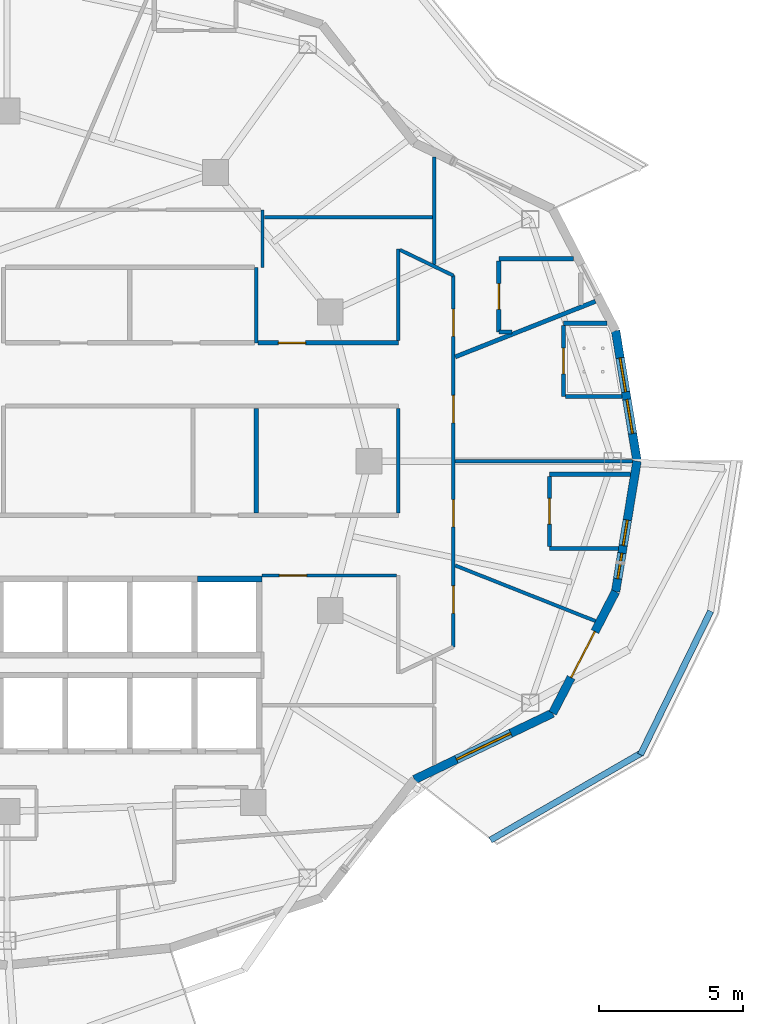
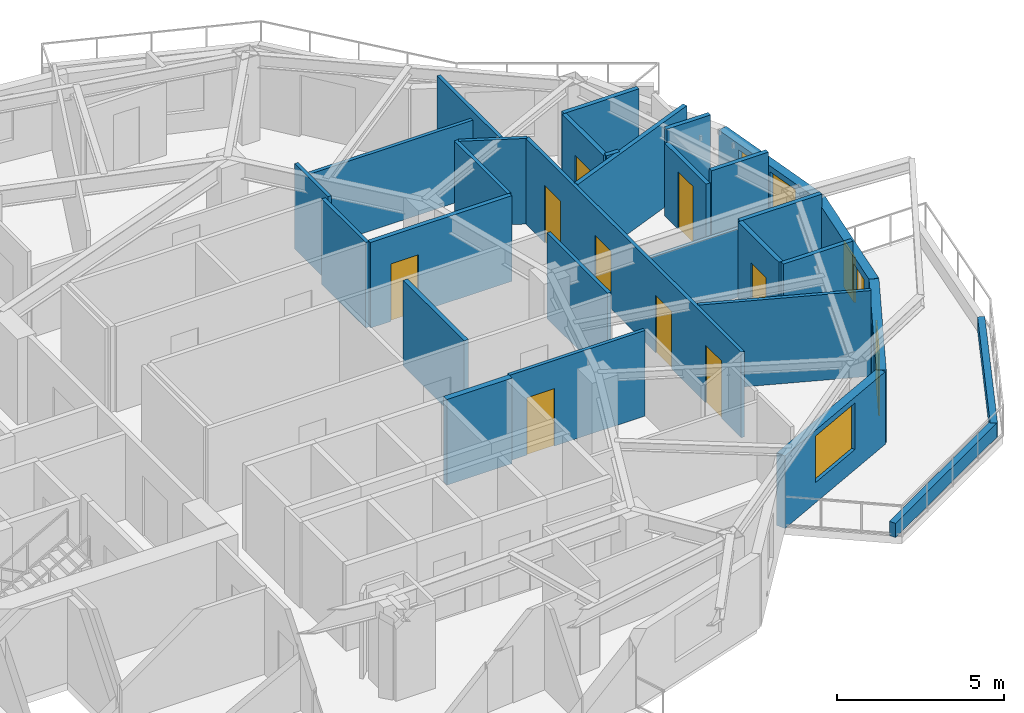
# One storey, part 6 of 13: 30 walls, 10 doors, 5 windows, 15 openings.
"""IFC4 building model written with IfcOpenShell, lengths in metres."""

from ifc_helpers import new_model, si_unit, direction, frame, frame_2d, origin, place, context, subcontext, project, spatial, rectangle, extrude, material, layer, layer_set, type_object, element, fill, save


model = new_model("IFC4")

# Units and contexts
model_context = context("Model", 3, precision=1e-05, world=origin(), true_north=direction((0.0, 1.0)))
body_context = subcontext(model_context, "Body", "Model", "MODEL_VIEW")
ifc_project = project(units=[si_unit("LENGTHUNIT", "METRE"), si_unit("AREAUNIT", "SQUARE_METRE"), si_unit("VOLUMEUNIT", "CUBIC_METRE"), si_unit("PLANEANGLEUNIT", "RADIAN"), si_unit("MASSUNIT", "GRAM", prefix="KILO")], contexts=[model_context])

# Site, building, storey
site_placement = place(None, origin())
site = spatial("IfcSite", under=ifc_project, at=site_placement, CompositionType="ELEMENT")
building_placement = place(site_placement, origin())
building = spatial("IfcBuilding", under=site, at=building_placement, Name="Kolvaren Gate Tower and Convention Centre", CompositionType="ELEMENT")
storey_placement = place(building_placement, frame((0.0, 0.0, 166.5)))
storey = spatial("IfcBuildingStorey", under=building, at=storey_placement, Name="L43", CompositionType="ELEMENT", Elevation=166.5)

# Walls
ifc_material_1 = material(Name="Fire-Rated Acoustic Gypsum Stud Partition", Category="gypsum")
ifc_layer_1 = layer(ifc_material_1, 0.1201171875)
ifc_layer_set_1 = layer_set([ifc_layer_1], Name="Fire-Rated Acoustic Gypsum Stud Partition")
wall_type_1 = type_object("IfcWallType", Name="ARCH-WL-PART-120", PredefinedType="PARTITIONING", material=ifc_layer_set_1)
wall_1_placement = place(storey_placement, frame((38.800048828125, 31.1201171875, 0.0), z_axis=(0.0, 0.0, 1.0), x_axis=(0.0, 1.0, 0.0)))
element("IfcWall", 1, at=wall_1_placement, inside=storey, type_object=wall_type_1, Name="Interior Partition WL-L43-INT-019", PredefinedType="PARTITIONING", context=body_context, shape_type="SweptSolid", body=[
    extrude(rectangle(XDim=2.6298828125, YDim=0.1201171875, at=frame_2d((1.31494140625, 0.0))), origin(), (0.0, 0.0, 1.0), 3.1298828125),
])
wall_2_placement = place(storey_placement, frame((39.02001953125, 33.75, 0.0), z_axis=(0.0, 0.0, 1.0), x_axis=(0.0, 1.0, 0.0)))
element("IfcWall", 2, at=wall_2_placement, inside=storey, type_object=wall_type_1, Name="Interior Partition WL-L43-INT-024", PredefinedType="PARTITIONING", context=body_context, shape_type="SweptSolid", body=[
    extrude(rectangle(XDim=2.0, YDim=0.1201171875, at=frame_2d((1.0, 0.0))), origin(), (0.0, 0.0, 1.0), 3.1298828125),
])
wall_3_placement = place(storey_placement, frame((43.75, 25.197021484375, 0.0), z_axis=(0.0, 0.0, 1.0), x_axis=(0.0, 1.0, 0.0)))
element("IfcWall", 3, at=wall_3_placement, inside=storey, type_object=wall_type_1, Name="Interior Partition WL-L43-INT-038", PredefinedType="PARTITIONING", context=body_context, shape_type="SweptSolid", body=[
    extrude(rectangle(XDim=3.64599609375, YDim=0.1201171875, at=frame_2d((1.822998046875, 0.0))), origin(), (0.0, 0.0, 1.0), 3.1298828125),
])
wall_4_placement = place(storey_placement, frame((43.75, 31.197021484375, 0.0), z_axis=(0.0, 0.0, 1.0), x_axis=(0.0, 1.0, 0.0)))
element("IfcWall", 4, at=wall_4_placement, inside=storey, type_object=wall_type_1, Name="Interior Partition WL-L43-INT-039", PredefinedType="PARTITIONING", context=body_context, shape_type="SweptSolid", body=[
    extrude(rectangle(XDim=3.18798828125, YDim=0.1201171875, at=frame_2d((1.593994140625, 0.0))), origin(), (0.0, 0.0, 1.0), 3.1298828125),
])
wall_5_placement = place(storey_placement, frame((43.81201171875, 34.355224609375, 0.0), z_axis=(0.0, 0.0, 1.0), x_axis=(0.901236415331, -0.433327732417, 0.0)))
element("IfcWall", 5, at=wall_5_placement, inside=storey, type_object=wall_type_1, Name="Interior Partition WL-L43-INT-040", PredefinedType="PARTITIONING", context=body_context, shape_type="SweptSolid", body=[
    extrude(rectangle(XDim=2.0615234375, YDim=0.1201171875, at=frame_2d((1.03076171875, 0.0))), origin(), (0.0, 0.0, 1.0), 3.1298828125),
])

# Wall, openings, doors
wall_6_placement = place(storey_placement, frame((45.669921875, 20.5380859375, 0.0), z_axis=(0.0, 0.0, 1.0), x_axis=(0.0, 1.0, 0.0)))
wall_6 = element("IfcWall", 6, at=wall_6_placement, inside=storey, type_object=wall_type_1, Name="Interior Partition WL-L43-INT-041", PredefinedType="PARTITIONING", context=body_context, shape_type="SweptSolid", body=[
    extrude(rectangle(XDim=12.923828125, YDim=0.1201171875, at=frame_2d((6.4619140625, 0.0))), origin(), (0.0, 0.0, 1.0), 3.1298828125),
])
opening_1_placement = place(wall_6_placement, frame((1.166015625, 0.0, 0.0)))
opening_1 = element("IfcOpeningElement", 7, at=opening_1_placement, cuts=wall_6, Name="Opening DR-01", PredefinedType="OPENING", context=body_context, shape_type="SweptSolid", body=[
    extrude(rectangle(XDim=0.949951171875, YDim=2.10009765625, at=frame_2d((0.47509765625, 1.050048828125))), frame((0.0, 0.070068359375, 0.0), z_axis=(0.0, -1.0, 0.0), x_axis=(1.0, 0.0, 0.0)), (0.0, 0.0, 1.0), 0.14013671875),
])
opening_2_placement = place(wall_6_placement, frame((4.173828125, 0.0, 0.0)))
opening_2 = element("IfcOpeningElement", 8, at=opening_2_placement, cuts=wall_6, Name="Opening DR-01", PredefinedType="OPENING", context=body_context, shape_type="SweptSolid", body=[
    extrude(rectangle(XDim=0.949951171875, YDim=2.10009765625, at=frame_2d((0.47509765625, 1.050048828125))), frame((0.0, 0.070068359375, 0.0), z_axis=(0.0, -1.0, 0.0), x_axis=(1.0, 0.0, 0.0)), (0.0, 0.0, 1.0), 0.14013671875),
])
opening_3_placement = place(wall_6_placement, frame((7.800048828125, 0.0, 0.0)))
opening_3 = element("IfcOpeningElement", 9, at=opening_3_placement, cuts=wall_6, Name="Opening DR-01", PredefinedType="OPENING", context=body_context, shape_type="SweptSolid", body=[
    extrude(rectangle(XDim=0.949951171875, YDim=2.10009765625, at=frame_2d((0.47509765625, 1.050048828125))), frame((0.0, 0.070068359375, 0.0), z_axis=(0.0, -1.0, 0.0), x_axis=(1.0, 0.0, 0.0)), (0.0, 0.0, 1.0), 0.14013671875),
])
opening_4_placement = place(wall_6_placement, frame((10.807861328125, 0.0, 0.0)))
opening_4 = element("IfcOpeningElement", 10, at=opening_4_placement, cuts=wall_6, Name="Opening DR-01", PredefinedType="OPENING", context=body_context, shape_type="SweptSolid", body=[
    extrude(rectangle(XDim=0.949951171875, YDim=2.10009765625, at=frame_2d((0.47509765625, 1.050048828125))), frame((0.0, 0.070068359375, 0.0), z_axis=(0.0, -1.0, 0.0), x_axis=(1.0, 0.0, 0.0)), (0.0, 0.0, 1.0), 0.14013671875),
])
ifc_material_2 = material(Name="Painted Architectural Steelwork ASTM A500 Grade C 345 MPa", Category="steel")
door_type_1 = type_object("IfcDoorType", Name="ARCH-DR-RISER-950", OperationType="SINGLE_SWING_RIGHT", PredefinedType="DOOR", material=ifc_material_2)
door_1_placement = place(opening_1_placement, origin())
door_1 = element("IfcDoor", 11, at=door_1_placement, inside=storey, type_object=door_type_1, Name="Hotel Botanical Clubroom Door", OperationType="SINGLE_SWING_RIGHT", OverallHeight=2.10009765625, OverallWidth=0.949951171875, PredefinedType="DOOR", context=body_context, shape_type="SweptSolid", body=[
    extrude(rectangle(XDim=0.949951171875, YDim=2.10009765625, at=frame_2d((0.47509765625, 1.050048828125))), frame((0.0, 0.02490234375, 0.0), z_axis=(0.0, -1.0, 0.0), x_axis=(1.0, 0.0, 0.0)), (0.0, 0.0, 1.0), 0.050048828125),
])
fill(opening_1, door_1)
door_2_placement = place(opening_2_placement, origin())
door_2 = element("IfcDoor", 12, at=door_2_placement, inside=storey, type_object=door_type_1, Name="Deluxe Hotel Suite (HTL-L43-08) Door", OperationType="SINGLE_SWING_LEFT", OverallHeight=2.10009765625, OverallWidth=0.949951171875, PredefinedType="DOOR", context=body_context, shape_type="SweptSolid", body=[
    extrude(rectangle(XDim=0.949951171875, YDim=2.10009765625, at=frame_2d((0.47509765625, 1.050048828125))), frame((0.0, 0.02490234375, 0.0), z_axis=(0.0, -1.0, 0.0), x_axis=(1.0, 0.0, 0.0)), (0.0, 0.0, 1.0), 0.050048828125),
])
fill(opening_2, door_2)
door_3_placement = place(opening_3_placement, origin())
door_3 = element("IfcDoor", 13, at=door_3_placement, inside=storey, type_object=door_type_1, Name="Deluxe Hotel Suite (HTL-L43-10) Door", OperationType="SINGLE_SWING_LEFT", OverallHeight=2.10009765625, OverallWidth=0.949951171875, PredefinedType="DOOR", context=body_context, shape_type="SweptSolid", body=[
    extrude(rectangle(XDim=0.949951171875, YDim=2.10009765625, at=frame_2d((0.47509765625, 1.050048828125))), frame((0.0, 0.02490234375, 0.0), z_axis=(0.0, -1.0, 0.0), x_axis=(1.0, 0.0, 0.0)), (0.0, 0.0, 1.0), 0.050048828125),
])
fill(opening_3, door_3)
door_4_placement = place(opening_4_placement, origin())
door_4 = element("IfcDoor", 14, at=door_4_placement, inside=storey, type_object=door_type_1, Name="Deluxe Hotel Suite (HTL-L43-11) Door", OperationType="SINGLE_SWING_RIGHT", OverallHeight=2.10009765625, OverallWidth=0.949951171875, PredefinedType="DOOR", context=body_context, shape_type="SweptSolid", body=[
    extrude(rectangle(XDim=0.949951171875, YDim=2.10009765625, at=frame_2d((0.47509765625, 1.050048828125))), frame((0.0, 0.02490234375, 0.0), z_axis=(0.0, -1.0, 0.0), x_axis=(1.0, 0.0, 0.0)), (0.0, 0.0, 1.0), 0.050048828125),
])
fill(opening_4, door_4)

# Wall, opening, door
wall_7_placement = place(storey_placement, frame((39.0, 23.02001953125, 0.0), z_axis=(0.0, 0.0, 1.0), x_axis=(1.0, 0.0, 0.0)))
wall_7 = element("IfcWall", 15, at=wall_7_placement, inside=storey, type_object=wall_type_1, Name="Interior Partition WL-L43-INT-043", PredefinedType="PARTITIONING", context=body_context, shape_type="SweptSolid", body=[
    extrude(rectangle(XDim=4.68798828125, YDim=0.1201171875, at=frame_2d((2.343994140625, 0.0))), origin(), (0.0, 0.0, 1.0), 3.1298828125),
])
opening_5_placement = place(wall_7_placement, frame((0.60888671875, 0.0, 0.0)))
opening_5 = element("IfcOpeningElement", 16, at=opening_5_placement, cuts=wall_7, Name="Opening DR-01", PredefinedType="OPENING", context=body_context, shape_type="SweptSolid", body=[
    extrude(rectangle(XDim=0.949951171875, YDim=2.10009765625, at=frame_2d((0.47509765625, 1.050048828125))), frame((0.0, 0.070068359375, 0.0), z_axis=(0.0, -1.0, 0.0), x_axis=(1.0, 0.0, 0.0)), (0.0, 0.0, 1.0), 0.14013671875),
])
door_5_placement = place(opening_5_placement, origin())
door_5 = element("IfcDoor", 17, at=door_5_placement, inside=storey, type_object=door_type_1, Name="Luxury Retail Boutique Door", OperationType="SINGLE_SWING_LEFT", OverallHeight=2.10009765625, OverallWidth=0.949951171875, PredefinedType="DOOR", context=body_context, shape_type="SweptSolid", body=[
    extrude(rectangle(XDim=0.949951171875, YDim=2.10009765625, at=frame_2d((0.47509765625, 1.050048828125))), frame((0.0, 0.02490234375, 0.0), z_axis=(0.0, -1.0, 0.0), x_axis=(1.0, 0.0, 0.0)), (0.0, 0.0, 1.0), 0.050048828125),
])
fill(opening_5, door_5)

# Walls
wall_8_placement = place(storey_placement, frame((45.73193359375, 27.0, 0.0), z_axis=(0.0, 0.0, 1.0), x_axis=(1.0, 0.0, 0.0)))
element("IfcWall", 18, at=wall_8_placement, inside=storey, type_object=wall_type_1, Name="Interior Partition WL-L43-INT-049", PredefinedType="PARTITIONING", context=body_context, shape_type="SweptSolid", body=[
    extrude(rectangle(XDim=6.176513671875, YDim=0.1201171875, at=frame_2d((3.08837890625, 0.0))), origin(), (0.0, 0.0, 1.0), 2.5048828125),
])
wall_9_placement = place(storey_placement, frame((45.0, 33.852783203125, 0.0), z_axis=(0.0, 0.0, 1.0), x_axis=(0.0, 1.0, 0.0)))
element("IfcWall", 19, at=wall_9_placement, inside=storey, type_object=wall_type_1, Name="Interior Partition WL-L43-INT-057", PredefinedType="PARTITIONING", context=body_context, shape_type="SweptSolid", body=[
    extrude(rectangle(XDim=3.734619140625, YDim=0.1201171875, at=frame_2d((1.8671875, 0.0))), origin(), (0.0, 0.0, 1.0), 3.1298828125),
])
wall_10_placement = place(storey_placement, frame((45.73193359375, 23.367431640625, 0.0), z_axis=(0.0, 0.0, 1.0), x_axis=(0.929706134606, -0.368302190158, 0.0)))
element("IfcWall", 20, at=wall_10_placement, inside=storey, type_object=wall_type_1, Name="Interior Partition WL-L43-INT-058", PredefinedType="PARTITIONING", context=body_context, shape_type="SweptSolid", body=[
    extrude(rectangle(XDim=5.250732421875, YDim=0.1201171875, at=frame_2d((2.62548828125, 0.0))), origin(), (0.0, 0.0, 1.0), 3.1298828125),
])
wall_11_placement = place(storey_placement, frame((39.08203125, 35.5, 0.0), z_axis=(0.0, 0.0, 1.0), x_axis=(1.0, 0.0, 0.0)))
element("IfcWall", 21, at=wall_11_placement, inside=storey, type_object=wall_type_1, Name="Interior Partition WL-L43-INT-069", PredefinedType="PARTITIONING", context=body_context, shape_type="SweptSolid", body=[
    extrude(rectangle(XDim=5.85595703125, YDim=0.1201171875, at=frame_2d((2.927978515625, 0.0))), origin(), (0.0, 0.0, 1.0), 2.81201171875),
])
ifc_material_3 = material(Name="Piedmont Cream Honed Limestone Cladding", Category="masonry")
ifc_layer_2 = layer(ifc_material_3, 0.219970703125)
ifc_layer_set_2 = layer_set([ifc_layer_2], Name="Piedmont Cream Honed Limestone Cladding")
wall_type_2 = type_object("IfcWallType", Name="ARCH-WL-PLANTER-220", PredefinedType="PARAPET", material=ifc_layer_set_2)
wall_12_placement = place(storey_placement, frame((46.95751953125, 13.8046875, 0.0), z_axis=(0.0, 0.0, 1.0), x_axis=(0.866058128659, 0.499943314571, 0.0)))
element("IfcWall", 22, at=wall_12_placement, inside=storey, type_object=wall_type_2, Name="Vertical-Forest Balcony Stone Planter Kerb PK-L43-4.1", PredefinedType="PARAPET", context=body_context, shape_type="SweptSolid", body=[
    extrude(rectangle(XDim=6.060302734375, YDim=0.219970703125, at=frame_2d((3.0302734375, 0.0))), origin(), (0.0, 0.0, 1.0), 0.52001953125),
])
wall_13_placement = place(storey_placement, frame((52.180419921875, 16.778564453125, 0.0), z_axis=(0.0, 0.0, 1.0), x_axis=(0.439637174641, 0.898175458735, 0.0)))
element("IfcWall", 23, at=wall_13_placement, inside=storey, type_object=wall_type_2, Name="Vertical-Forest Balcony Stone Planter Kerb PK-L43-4.2", PredefinedType="PARAPET", context=body_context, shape_type="SweptSolid", body=[
    extrude(rectangle(XDim=5.567138671875, YDim=0.219970703125, at=frame_2d((2.78369140625, 0.0))), origin(), (0.0, 0.0, 1.0), 0.52001953125),
])
ifc_material_4 = material(Name="Autoclaved Aerated Masonry Blockwork Class 4 (4.0 MPa)", Category="masonry")
ifc_layer_3 = layer(ifc_material_4, 0.199951171875)
ifc_layer_set_3 = layer_set([ifc_layer_3], Name="Autoclaved Aerated Masonry Blockwork Class 4 (4.0 MPa)")
wall_type_3 = type_object("IfcWallType", Name="ARCH-WL-SHAFT-200", PredefinedType="SOLIDWALL", material=ifc_layer_set_3)
wall_14_placement = place(storey_placement, frame((36.75, 22.89990234375, 0.0), z_axis=(0.0, 0.0, 1.0), x_axis=(1.0, 0.0, 0.0)))
element("IfcWall", 24, at=wall_14_placement, inside=storey, type_object=wall_type_3, Name="Elevator PL-12 L43 Fire Shaft Wall N", PredefinedType="SOLIDWALL", context=body_context, shape_type="SweptSolid", body=[
    extrude(rectangle(XDim=2.25, YDim=0.199951171875, at=frame_2d((1.125, 0.0))), origin(), (0.0, 0.0, 1.0), 3.1298828125),
])

# Wall, openings, windows
ifc_layer_4 = layer(ifc_material_3, 0.300048828125)
ifc_layer_set_4 = layer_set([ifc_layer_4], Name="Piedmont Cream Honed Limestone Cladding")
wall_type_4 = type_object("IfcWallType", Name="ARCH-WL-STONE-300", PredefinedType="SOLIDWALL", material=ifc_layer_set_4)
wall_15_placement = place(storey_placement, frame((51.31494140625, 31.542236328125, 0.0), z_axis=(0.0, 0.0, 1.0), x_axis=(0.162394765401, -0.986725868806, 0.0)))
wall_15 = element("IfcWall", 25, at=wall_15_placement, inside=storey, type_object=wall_type_4, Name="Tower L43 Honed Stone Spandrel Wall EW-00", PredefinedType="SOLIDWALL", context=body_context, shape_type="SweptSolid", body=[
    extrude(rectangle(XDim=4.603271484375, YDim=0.300048828125, at=frame_2d((2.3017578125, 0.0))), origin(), (0.0, 0.0, 1.0), 2.653076171875),
])
opening_6_placement = place(wall_15_placement, frame((0.957763671875, 0.0, 0.739990234375)))
opening_6 = element("IfcOpeningElement", 26, at=opening_6_placement, cuts=wall_15, Name="Opening W-04", PredefinedType="OPENING", context=body_context, shape_type="SweptSolid", body=[
    extrude(rectangle(XDim=1.199951171875, YDim=1.699951171875, at=frame_2d((0.60009765625, 0.85009765625))), frame((0.0, 0.159912109375, 0.0), z_axis=(0.0, -1.0, 0.0), x_axis=(1.0, 0.0, 0.0)), (0.0, 0.0, 1.0), 0.320068359375),
])
opening_7_placement = place(wall_15_placement, frame((2.427978515625, 0.0, 0.739990234375)))
opening_7 = element("IfcOpeningElement", 27, at=opening_7_placement, cuts=wall_15, Name="Opening W-04", PredefinedType="OPENING", context=body_context, shape_type="SweptSolid", body=[
    extrude(rectangle(XDim=1.199951171875, YDim=1.699951171875, at=frame_2d((0.60009765625, 0.85009765625))), frame((0.0, 0.159912109375, 0.0), z_axis=(0.0, -1.0, 0.0), x_axis=(1.0, 0.0, 0.0)), (0.0, 0.0, 1.0), 0.320068359375),
])
ifc_material_5 = material(Name="Low-E Triple Insulated Glazing Unit 44 mm", Category="glass")
window_type_1 = type_object("IfcWindowType", Name="ARCH-WN-NARROW-1200", PartitioningType="SINGLE_PANEL", PredefinedType="WINDOW", material=ifc_material_5)
window_1_placement = place(opening_6_placement, origin())
window_1 = element("IfcWindow", 28, at=window_1_placement, inside=storey, type_object=window_type_1, Name="Tower L43 Punched Stone Facade Window W-00", OverallHeight=1.699951171875, OverallWidth=1.199951171875, PartitioningType="SINGLE_PANEL", PredefinedType="WINDOW", context=body_context, shape_type="SweptSolid", body=[
    extrude(rectangle(XDim=1.199951171875, YDim=1.699951171875, at=frame_2d((0.60009765625, 0.85009765625))), frame((0.0, 0.030029296875, 0.0), z_axis=(0.0, -1.0, 0.0), x_axis=(1.0, 0.0, 0.0)), (0.0, 0.0, 1.0), 0.06005859375),
])
fill(opening_6, window_1)
window_2_placement = place(opening_7_placement, origin())
window_2 = element("IfcWindow", 29, at=window_2_placement, inside=storey, type_object=window_type_1, Name="Tower L43 Punched Stone Facade Window W-00B", OverallHeight=1.699951171875, OverallWidth=1.199951171875, PartitioningType="SINGLE_PANEL", PredefinedType="WINDOW", context=body_context, shape_type="SweptSolid", body=[
    extrude(rectangle(XDim=1.199951171875, YDim=1.699951171875, at=frame_2d((0.60009765625, 0.85009765625))), frame((0.0, 0.030029296875, 0.0), z_axis=(0.0, -1.0, 0.0), x_axis=(1.0, 0.0, 0.0)), (0.0, 0.0, 1.0), 0.06005859375),
])
fill(opening_7, window_2)

# Wall, opening, window
wall_16_placement = place(storey_placement, frame((44.3134765625, 15.9140625, 0.0), z_axis=(0.0, 0.0, 1.0), x_axis=(0.901353070301, 0.433085029363, 0.0)))
wall_16 = element("IfcWall", 30, at=wall_16_placement, inside=storey, type_object=wall_type_4, Name="Tower L43 Honed Stone Spandrel Wall EW-21", PredefinedType="SOLIDWALL", context=body_context, shape_type="SweptSolid", body=[
    extrude(rectangle(XDim=5.336181640625, YDim=0.300048828125, at=frame_2d((2.66796875, 0.0))), origin(), (0.0, 0.0, 1.0), 2.653076171875),
])
opening_8_placement = place(wall_16_placement, frame((1.617919921875, 0.0, 0.739990234375)))
opening_8 = element("IfcOpeningElement", 31, at=opening_8_placement, cuts=wall_16, Name="Opening W-02", PredefinedType="OPENING", context=body_context, shape_type="SweptSolid", body=[
    extrude(rectangle(XDim=2.10009765625, YDim=1.699951171875, at=frame_2d((1.050048828125, 0.85009765625))), frame((0.0, 0.159912109375, 0.0), z_axis=(0.0, -1.0, 0.0), x_axis=(1.0, 0.0, 0.0)), (0.0, 0.0, 1.0), 0.320068359375),
])
window_type_2 = type_object("IfcWindowType", Name="ARCH-WN-HTL-2100", PartitioningType="SINGLE_PANEL", PredefinedType="WINDOW", material=ifc_material_5)
window_3_placement = place(opening_8_placement, origin())
window_3 = element("IfcWindow", 32, at=window_3_placement, inside=storey, type_object=window_type_2, Name="Tower L43 Punched Stone Facade Window W-21", OverallHeight=1.699951171875, OverallWidth=2.10009765625, PartitioningType="SINGLE_PANEL", PredefinedType="WINDOW", context=body_context, shape_type="SweptSolid", body=[
    extrude(rectangle(XDim=2.10009765625, YDim=1.699951171875, at=frame_2d((1.050048828125, 0.85009765625))), frame((0.0, 0.030029296875, 0.0), z_axis=(0.0, -1.0, 0.0), x_axis=(1.0, 0.0, 0.0)), (0.0, 0.0, 1.0), 0.06005859375),
])
fill(opening_8, window_3)

# Wall, opening, door
wall_17_placement = place(storey_placement, frame((49.123291015625, 18.22509765625, 0.0), z_axis=(0.0, 0.0, 1.0), x_axis=(0.459810251451, 0.888017191647, 0.0)))
wall_17 = element("IfcWall", 33, at=wall_17_placement, inside=storey, type_object=wall_type_4, Name="Tower L43 Honed Stone Spandrel Wall EW-22", PredefinedType="SOLIDWALL", context=body_context, shape_type="SweptSolid", body=[
    extrude(rectangle(XDim=4.766357421875, YDim=0.300048828125, at=frame_2d((2.38330078125, 0.0))), origin(), (0.0, 0.0, 1.0), 2.653076171875),
])
opening_9_placement = place(wall_17_placement, frame((1.39990234375, 0.0, 0.0)))
opening_9 = element("IfcOpeningElement", 34, at=opening_9_placement, cuts=wall_17, Name="Opening DB-01", PredefinedType="OPENING", context=body_context, shape_type="SweptSolid", body=[
    extrude(rectangle(XDim=1.800048828125, YDim=2.25, at=frame_2d((0.89990234375, 1.125))), frame((0.0, 0.159912109375, 0.0), z_axis=(0.0, -1.0, 0.0), x_axis=(1.0, 0.0, 0.0)), (0.0, 0.0, 1.0), 0.320068359375),
])
ifc_material_6 = material(Name="Anodized Architectural Aluminium Alloy 6063-T6", Category="aluminium")
door_type_2 = type_object("IfcDoorType", Name="ARCH-DR-BALC-1800", OperationType="SLIDING_TO_LEFT", PredefinedType="DOOR", material=ifc_material_6)
door_6_placement = place(opening_9_placement, frame((1.800048828125, 0.0, 0.0), z_axis=(0.0, 0.0, 1.0), x_axis=(-1.0, 0.0, 0.0)))
door_6 = element("IfcDoor", 35, at=door_6_placement, inside=storey, type_object=door_type_2, Name="Planted Sky Terrace Access Door DB-L43-22", OperationType="SLIDING_TO_LEFT", OverallHeight=2.25, OverallWidth=1.800048828125, PredefinedType="DOOR", context=body_context, shape_type="SweptSolid", body=[
    extrude(rectangle(XDim=1.800048828125, YDim=2.25, at=frame_2d((0.89990234375, 1.125))), frame((0.0, 0.02490234375, 0.0), z_axis=(0.0, -1.0, 0.0), x_axis=(1.0, 0.0, 0.0)), (0.0, 0.0, 1.0), 0.050048828125),
])
fill(opening_9, door_6)

# Wall, openings, windows
wall_18_placement = place(storey_placement, frame((51.31494140625, 22.457763671875, 0.0), z_axis=(0.0, 0.0, 1.0), x_axis=(0.162394765401, 0.986725868806, 0.0)))
wall_18 = element("IfcWall", 36, at=wall_18_placement, inside=storey, type_object=wall_type_4, Name="Tower L43 Honed Stone Spandrel Wall EW-23", PredefinedType="SOLIDWALL", context=body_context, shape_type="SweptSolid", body=[
    extrude(rectangle(XDim=4.603271484375, YDim=0.300048828125, at=frame_2d((2.3017578125, 0.0))), origin(), (0.0, 0.0, 1.0), 2.653076171875),
])
opening_10_placement = place(wall_18_placement, frame((0.45703125, 0.0, 0.719970703125)))
opening_10 = element("IfcOpeningElement", 37, at=opening_10_placement, cuts=wall_18, Name="Opening W-06", PredefinedType="OPENING", context=body_context, shape_type="SweptSolid", body=[
    extrude(rectangle(XDim=0.89990234375, YDim=1.64990234375, at=frame_2d((0.449951171875, 0.824951171875))), frame((0.0, 0.159912109375, 0.0), z_axis=(0.0, -1.0, 0.0), x_axis=(1.0, 0.0, 0.0)), (0.0, 0.0, 1.0), 0.320068359375),
])
opening_11_placement = place(wall_18_placement, frame((1.62744140625, 0.0, 0.719970703125)))
opening_11 = element("IfcOpeningElement", 38, at=opening_11_placement, cuts=wall_18, Name="Opening W-06", PredefinedType="OPENING", context=body_context, shape_type="SweptSolid", body=[
    extrude(rectangle(XDim=0.89990234375, YDim=1.64990234375, at=frame_2d((0.449951171875, 0.824951171875))), frame((0.0, 0.159912109375, 0.0), z_axis=(0.0, -1.0, 0.0), x_axis=(1.0, 0.0, 0.0)), (0.0, 0.0, 1.0), 0.320068359375),
])
window_type_3 = type_object("IfcWindowType", Name="ARCH-WN-PUNCH-900", PartitioningType="SINGLE_PANEL", PredefinedType="WINDOW", material=ifc_material_5)
window_4_placement = place(opening_10_placement, origin())
window_4 = element("IfcWindow", 39, at=window_4_placement, inside=storey, type_object=window_type_3, Name="Tower L43 Punched Stone Facade Window W-23", OverallHeight=1.64990234375, OverallWidth=0.89990234375, PartitioningType="SINGLE_PANEL", PredefinedType="WINDOW", context=body_context, shape_type="SweptSolid", body=[
    extrude(rectangle(XDim=0.89990234375, YDim=1.64990234375, at=frame_2d((0.449951171875, 0.824951171875))), frame((0.0, 0.030029296875, 0.0), z_axis=(0.0, -1.0, 0.0), x_axis=(1.0, 0.0, 0.0)), (0.0, 0.0, 1.0), 0.06005859375),
])
fill(opening_10, window_4)
window_5_placement = place(opening_11_placement, origin())
window_5 = element("IfcWindow", 40, at=window_5_placement, inside=storey, type_object=window_type_3, Name="Tower L43 Punched Stone Facade Window W-23B", OverallHeight=1.64990234375, OverallWidth=0.89990234375, PartitioningType="SINGLE_PANEL", PredefinedType="WINDOW", context=body_context, shape_type="SweptSolid", body=[
    extrude(rectangle(XDim=0.89990234375, YDim=1.64990234375, at=frame_2d((0.449951171875, 0.824951171875))), frame((0.0, 0.030029296875, 0.0), z_axis=(0.0, -1.0, 0.0), x_axis=(1.0, 0.0, 0.0)), (0.0, 0.0, 1.0), 0.06005859375),
])
fill(opening_11, window_5)

# Walls
ifc_material_7 = material(Name="Moisture-Resistant Cement-Board Acoustic Partition", Category="gypsum")
ifc_layer_5 = layer(ifc_material_7, 0.14990234375)
ifc_layer_set_5 = layer_set([ifc_layer_5], Name="Moisture-Resistant Cement-Board Acoustic Partition")
wall_type_5 = type_object("IfcWallType", Name="ARCH-WL-WET-150", PredefinedType="PARTITIONING", material=ifc_layer_set_5)
wall_19_placement = place(storey_placement, frame((49.010986328125, 23.9599609375, 0.0), z_axis=(0.0, 0.0, 1.0), x_axis=(1.0, 0.0, 0.0)))
element("IfcWall", 41, at=wall_19_placement, inside=storey, type_object=wall_type_5, Name="Interior Partition WL-L43-INT-005", PredefinedType="PARTITIONING", context=body_context, shape_type="SweptSolid", body=[
    extrude(rectangle(XDim=2.397216796875, YDim=0.14990234375, at=frame_2d((1.19873046875, 0.0))), origin(), (0.0, 0.0, 1.0), 3.1298828125),
])
wall_20_placement = place(storey_placement, frame((38.800048828125, 25.197021484375, 0.0), z_axis=(0.0, 0.0, 1.0), x_axis=(0.0, 1.0, 0.0)))
element("IfcWall", 42, at=wall_20_placement, inside=storey, type_object=wall_type_5, Name="Interior Partition WL-L43-INT-018", PredefinedType="PARTITIONING", context=body_context, shape_type="SweptSolid", body=[
    extrude(rectangle(XDim=3.64599609375, YDim=0.14990234375, at=frame_2d((1.822998046875, 0.0))), origin(), (0.0, 0.0, 1.0), 3.1298828125),
])

# Wall, opening, door
wall_21_placement = place(storey_placement, frame((38.862060546875, 31.1201171875, 0.0), z_axis=(0.0, 0.0, 1.0), x_axis=(1.0, 0.0, 0.0)))
wall_21 = element("IfcWall", 43, at=wall_21_placement, inside=storey, type_object=wall_type_5, Name="Interior Partition WL-L43-INT-020 (2)", PredefinedType="PARTITIONING", context=body_context, shape_type="SweptSolid", body=[
    extrude(rectangle(XDim=4.887939453125, YDim=0.14990234375, at=frame_2d((2.44384765625, 0.0))), origin(), (0.0, 0.0, 1.0), 3.1298828125),
])
opening_12_placement = place(wall_21_placement, frame((0.708984375, 0.0, 0.0)))
opening_12 = element("IfcOpeningElement", 44, at=opening_12_placement, cuts=wall_21, Name="Opening DR-01", PredefinedType="OPENING", context=body_context, shape_type="SweptSolid", body=[
    extrude(rectangle(XDim=0.949951171875, YDim=2.10009765625, at=frame_2d((0.47509765625, 1.050048828125))), frame((0.0, 0.0849609375, 0.0), z_axis=(0.0, -1.0, 0.0), x_axis=(1.0, 0.0, 0.0)), (0.0, 0.0, 1.0), 0.169921875),
])
door_7_placement = place(opening_12_placement, origin())
door_7 = element("IfcDoor", 45, at=door_7_placement, inside=storey, type_object=door_type_1, Name="Hotel Botanical Clubroom Door", OperationType="SINGLE_SWING_LEFT", OverallHeight=2.10009765625, OverallWidth=0.949951171875, PredefinedType="DOOR", context=body_context, shape_type="SweptSolid", body=[
    extrude(rectangle(XDim=0.949951171875, YDim=2.10009765625, at=frame_2d((0.47509765625, 1.050048828125))), frame((0.0, 0.02490234375, 0.0), z_axis=(0.0, -1.0, 0.0), x_axis=(1.0, 0.0, 0.0)), (0.0, 0.0, 1.0), 0.050048828125),
])
fill(opening_12, door_7)

# Wall
wall_22_placement = place(storey_placement, frame((49.010986328125, 26.550048828125, 0.0), z_axis=(0.0, 0.0, 1.0), x_axis=(1.0, 0.0, 0.0)))
element("IfcWall", 46, at=wall_22_placement, inside=storey, type_object=wall_type_5, Name="Interior Partition WL-L43-INT-059", PredefinedType="PARTITIONING", context=body_context, shape_type="SweptSolid", body=[
    extrude(rectangle(XDim=2.823486328125, YDim=0.14990234375, at=frame_2d((1.41162109375, 0.0))), origin(), (0.0, 0.0, 1.0), 3.1298828125),
])

# Wall, opening, door
wall_23_placement = place(storey_placement, frame((49.010986328125, 24.037109375, 0.0), z_axis=(0.0, 0.0, 1.0), x_axis=(0.0, 1.0, 0.0)))
wall_23 = element("IfcWall", 47, at=wall_23_placement, inside=storey, type_object=wall_type_5, Name="Interior Partition WL-L43-INT-060", PredefinedType="PARTITIONING", context=body_context, shape_type="SweptSolid", body=[
    extrude(rectangle(XDim=2.435791015625, YDim=0.14990234375, at=frame_2d((1.2177734375, 0.0))), origin(), (0.0, 0.0, 1.0), 3.1298828125),
])
opening_13_placement = place(wall_23_placement, frame((0.76806640625, 0.0, 0.0)))
opening_13 = element("IfcOpeningElement", 48, at=opening_13_placement, cuts=wall_23, Name="Opening DW-01", PredefinedType="OPENING", context=body_context, shape_type="SweptSolid", body=[
    extrude(rectangle(XDim=0.89990234375, YDim=2.10009765625, at=frame_2d((0.449951171875, 1.050048828125))), frame((0.0, 0.0849609375, 0.0), z_axis=(0.0, -1.0, 0.0), x_axis=(1.0, 0.0, 0.0)), (0.0, 0.0, 1.0), 0.169921875),
])
ifc_material_8 = material(Name="FSC Andean Oak Engineered Veneer Door Leaf", Category="wood")
door_type_3 = type_object("IfcDoorType", Name="ARCH-DR-WC-900", OperationType="SINGLE_SWING_RIGHT", PredefinedType="DOOR", material=ifc_material_8)
door_8_placement = place(opening_13_placement, origin())
door_8 = element("IfcDoor", 49, at=door_8_placement, inside=storey, type_object=door_type_3, Name="En-suite Bathroom (HTL-L43-08) Door", OperationType="SINGLE_SWING_RIGHT", OverallHeight=2.10009765625, OverallWidth=0.89990234375, PredefinedType="DOOR", context=body_context, shape_type="SweptSolid", body=[
    extrude(rectangle(XDim=0.89990234375, YDim=2.10009765625, at=frame_2d((0.449951171875, 1.050048828125))), frame((0.0, 0.02490234375, 0.0), z_axis=(0.0, -1.0, 0.0), x_axis=(1.0, 0.0, 0.0)), (0.0, 0.0, 1.0), 0.050048828125),
])
fill(opening_13, door_8)

# Wall
wall_24_placement = place(storey_placement, frame((49.5, 31.800048828125, 0.0), z_axis=(0.0, 0.0, 1.0), x_axis=(1.0, 0.0, 0.0)))
element("IfcWall", 50, at=wall_24_placement, inside=storey, type_object=wall_type_5, Name="Interior Partition WL-L43-INT-061", PredefinedType="PARTITIONING", context=body_context, shape_type="SweptSolid", body=[
    extrude(rectangle(XDim=1.510498046875, YDim=0.14990234375, at=frame_2d((0.75537109375, 0.0))), origin(), (0.0, 0.0, 1.0), 3.1298828125),
])

# Wall, opening, door
wall_25_placement = place(storey_placement, frame((49.5, 29.25, 0.0), z_axis=(0.0, 0.0, 1.0), x_axis=(0.0, 1.0, 0.0)))
wall_25 = element("IfcWall", 51, at=wall_25_placement, inside=storey, type_object=wall_type_5, Name="Interior Partition WL-L43-INT-062", PredefinedType="PARTITIONING", context=body_context, shape_type="SweptSolid", body=[
    extrude(rectangle(XDim=2.472900390625, YDim=0.14990234375, at=frame_2d((1.236328125, 0.0))), origin(), (0.0, 0.0, 1.0), 2.653076171875),
])
opening_14_placement = place(wall_25_placement, frame((0.78662109375, 0.0, 0.0)))
opening_14 = element("IfcOpeningElement", 52, at=opening_14_placement, cuts=wall_25, Name="Opening DW-01", PredefinedType="OPENING", context=body_context, shape_type="SweptSolid", body=[
    extrude(rectangle(XDim=0.89990234375, YDim=2.10009765625, at=frame_2d((0.449951171875, 1.050048828125))), frame((0.0, 0.0849609375, 0.0), z_axis=(0.0, -1.0, 0.0), x_axis=(1.0, 0.0, 0.0)), (0.0, 0.0, 1.0), 0.169921875),
])
door_9_placement = place(opening_14_placement, origin())
door_9 = element("IfcDoor", 53, at=door_9_placement, inside=storey, type_object=door_type_3, Name="En-suite Bathroom (HTL-L43-10) Door", OperationType="SINGLE_SWING_LEFT", OverallHeight=2.10009765625, OverallWidth=0.89990234375, PredefinedType="DOOR", context=body_context, shape_type="SweptSolid", body=[
    extrude(rectangle(XDim=0.89990234375, YDim=2.10009765625, at=frame_2d((0.449951171875, 1.050048828125))), frame((0.0, 0.02490234375, 0.0), z_axis=(0.0, -1.0, 0.0), x_axis=(1.0, 0.0, 0.0)), (0.0, 0.0, 1.0), 0.050048828125),
])
fill(opening_14, door_9)

# Walls
wall_26_placement = place(storey_placement, frame((49.576904296875, 29.25, 0.0), z_axis=(0.0, 0.0, 1.0), x_axis=(1.0, 0.0, 0.0)))
element("IfcWall", 54, at=wall_26_placement, inside=storey, type_object=wall_type_5, Name="Interior Partition WL-L43-INT-063", PredefinedType="PARTITIONING", context=body_context, shape_type="SweptSolid", body=[
    extrude(rectangle(XDim=1.961181640625, YDim=0.14990234375, at=frame_2d((0.98046875, 0.0))), origin(), (0.0, 0.0, 1.0), 3.1298828125),
])
wall_27_placement = place(storey_placement, frame((45.73193359375, 30.632568359375, 0.0), z_axis=(0.0, 0.0, 1.0), x_axis=(0.929706134606, 0.368302190158, 0.0)))
element("IfcWall", 55, at=wall_27_placement, inside=storey, type_object=wall_type_5, Name="Interior Partition WL-L43-INT-064", PredefinedType="PARTITIONING", context=body_context, shape_type="SweptSolid", body=[
    extrude(rectangle(XDim=5.250732421875, YDim=0.14990234375, at=frame_2d((2.62548828125, 0.0))), origin(), (0.0, 0.0, 1.0), 3.1298828125),
])
wall_28_placement = place(storey_placement, frame((47.25, 34.050048828125, 0.0), z_axis=(0.0, 0.0, 1.0), x_axis=(1.0, 0.0, 0.0)))
element("IfcWall", 56, at=wall_28_placement, inside=storey, type_object=wall_type_5, Name="Interior Partition WL-L43-INT-065", PredefinedType="PARTITIONING", context=body_context, shape_type="SweptSolid", body=[
    extrude(rectangle(XDim=2.595458984375, YDim=0.14990234375, at=frame_2d((1.2978515625, 0.0))), origin(), (0.0, 0.0, 1.0), 3.1298828125),
])

# Wall, opening, door
wall_29_placement = place(storey_placement, frame((47.25, 31.5, 0.0), z_axis=(0.0, 0.0, 1.0), x_axis=(0.0, 1.0, 0.0)))
wall_29 = element("IfcWall", 57, at=wall_29_placement, inside=storey, type_object=wall_type_5, Name="Interior Partition WL-L43-INT-066", PredefinedType="PARTITIONING", context=body_context, shape_type="SweptSolid", body=[
    extrude(rectangle(XDim=2.472900390625, YDim=0.14990234375, at=frame_2d((1.236328125, 0.0))), origin(), (0.0, 0.0, 1.0), 3.1298828125),
])
opening_15_placement = place(wall_29_placement, frame((0.78662109375, 0.0, 0.0)))
opening_15 = element("IfcOpeningElement", 58, at=opening_15_placement, cuts=wall_29, Name="Opening DW-01", PredefinedType="OPENING", context=body_context, shape_type="SweptSolid", body=[
    extrude(rectangle(XDim=0.89990234375, YDim=2.10009765625, at=frame_2d((0.449951171875, 1.050048828125))), frame((0.0, 0.0849609375, 0.0), z_axis=(0.0, -1.0, 0.0), x_axis=(1.0, 0.0, 0.0)), (0.0, 0.0, 1.0), 0.169921875),
])
door_10_placement = place(opening_15_placement, origin())
door_10 = element("IfcDoor", 59, at=door_10_placement, inside=storey, type_object=door_type_3, Name="En-suite Bathroom (HTL-L43-11) Door", OperationType="SINGLE_SWING_RIGHT", OverallHeight=2.10009765625, OverallWidth=0.89990234375, PredefinedType="DOOR", context=body_context, shape_type="SweptSolid", body=[
    extrude(rectangle(XDim=0.89990234375, YDim=2.10009765625, at=frame_2d((0.449951171875, 1.050048828125))), frame((0.0, 0.02490234375, 0.0), z_axis=(0.0, -1.0, 0.0), x_axis=(1.0, 0.0, 0.0)), (0.0, 0.0, 1.0), 0.050048828125),
])
fill(opening_15, door_10)

# Wall
wall_30_placement = place(storey_placement, frame((47.25, 31.5, 0.0), z_axis=(0.0, 0.0, 1.0), x_axis=(0.999990888186, -0.004268904539, 0.0)))
element("IfcWall", 60, at=wall_30_placement, inside=storey, type_object=wall_type_5, Name="Interior Partition WL-L43-INT-067", PredefinedType="PARTITIONING", context=body_context, shape_type="SweptSolid", body=[
    extrude(rectangle(XDim=0.45751953125, YDim=0.14990234375, at=frame_2d((0.228759765625, 0.0))), origin(), (0.0, 0.0, 1.0), 3.1298828125),
])

save(model, "model.ifc")
